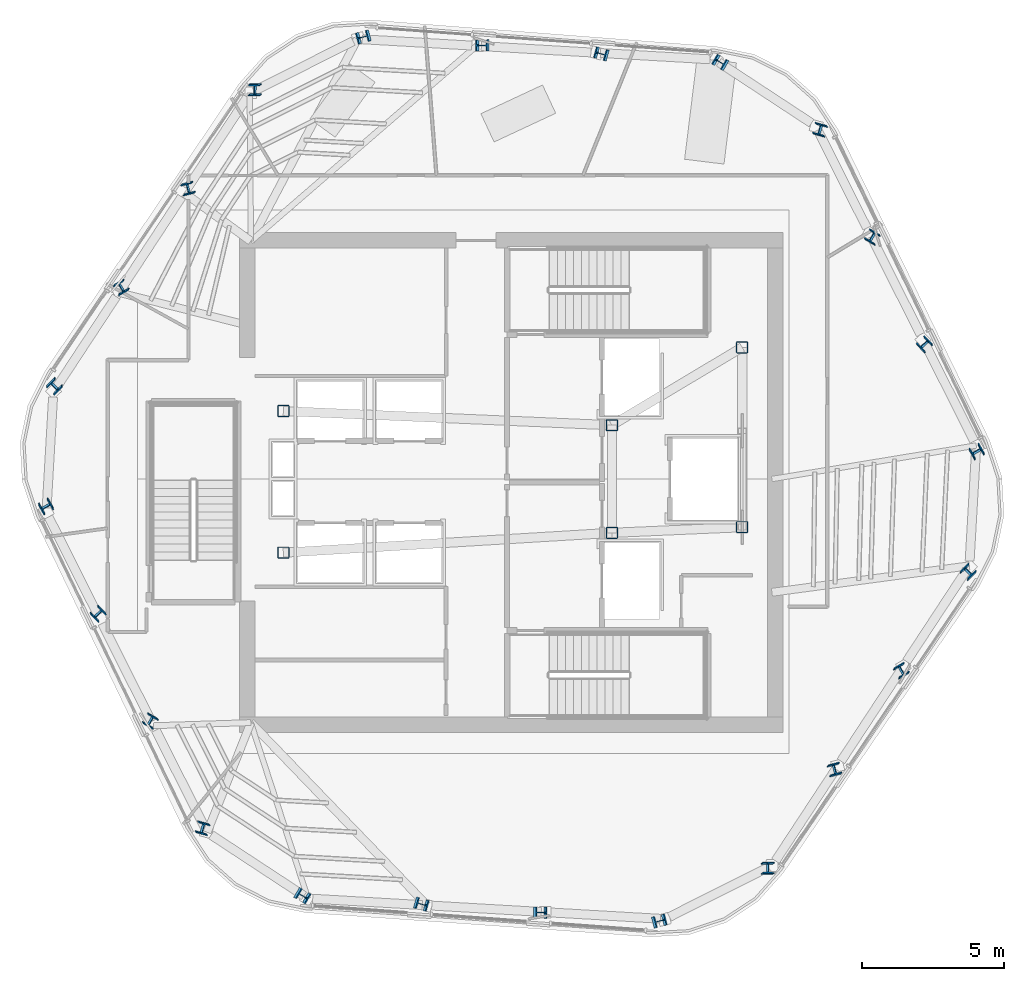
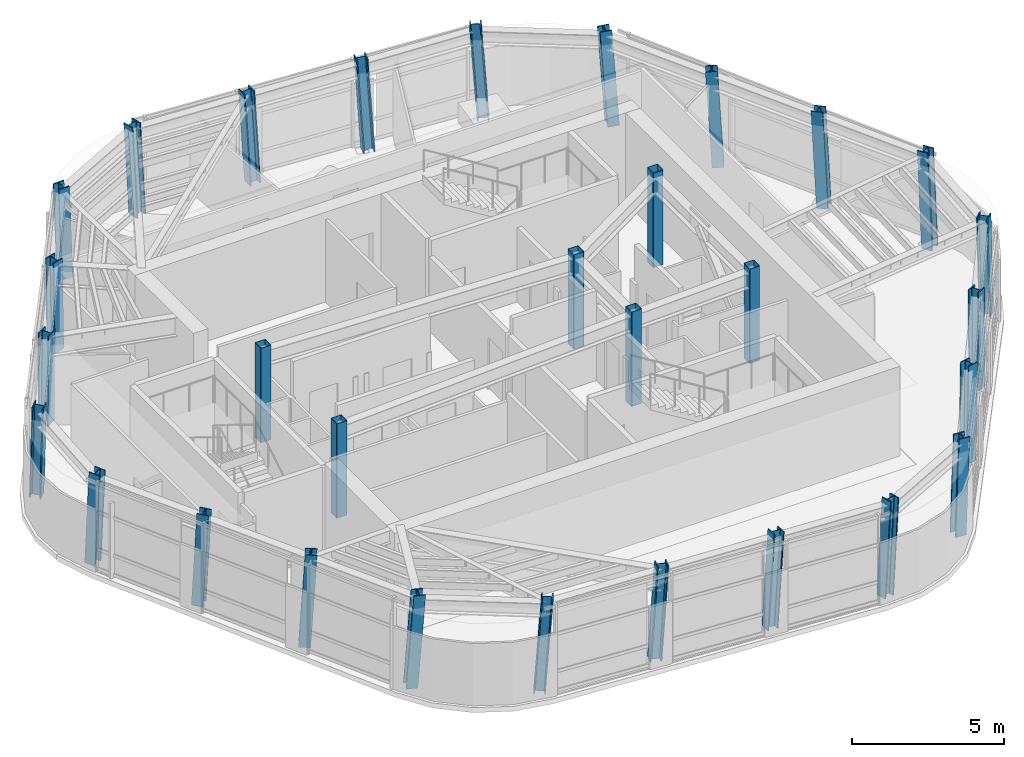
# One storey, part 1 of 11: 30 columns.
"""IFC4 building model written with IfcOpenShell, lengths in metres."""

from ifc_helpers import new_model, si_unit, direction, frame, origin, origin_2d, place, context, subcontext, project, spatial, hollow_rectangle, i_section, extrude, material, material_profile, profile_set, type_object, element, save


model = new_model("IFC4")

# Units and contexts
model_context = context("Model", 3, precision=1e-05, world=origin(), true_north=direction((0.0, 1.0)))
body_context = subcontext(model_context, "Body", "Model", "MODEL_VIEW")
ifc_project = project(units=[si_unit("LENGTHUNIT", "METRE"), si_unit("AREAUNIT", "SQUARE_METRE"), si_unit("VOLUMEUNIT", "CUBIC_METRE"), si_unit("PLANEANGLEUNIT", "RADIAN"), si_unit("MASSUNIT", "GRAM", prefix="KILO")], contexts=[model_context])

# Site, building, storey
site_placement = place(None, origin())
site = spatial("IfcSite", under=ifc_project, at=site_placement, CompositionType="ELEMENT")
building_placement = place(site_placement, origin())
building = spatial("IfcBuilding", under=site, at=building_placement, Name="Valkerne Bourse Tower", CompositionType="ELEMENT")
storey_placement = place(building_placement, frame((0.0, 0.0, 266.0)))
storey = spatial("IfcBuildingStorey", under=building, at=storey_placement, Name="L67", CompositionType="ELEMENT", Elevation=266.0)

# Columns
ifc_material_1 = material(Name="Steel ASTM A500 Grade C", Category="steel")
ifc_material_profile_1 = material_profile(ifc_material_1, hollow_rectangle(XDim=0.39990234375, YDim=0.39990234375, WallThickness=0.01611328125, OuterFilletRadius=0.031982421875, at=origin_2d()), Name="HSS400X400X16")
ifc_profile_set_1 = profile_set([ifc_material_profile_1], Name="Steel ASTM A500 Grade C")
column_type_1 = type_object("IfcColumnType", Name="COL-HSS400X400X16", PredefinedType="COLUMN", material=ifc_profile_set_1)
for number, where, z_axis, x_axis, name in (
    (1, (38.75, 24.39990234375, 0.0048828125), (0.0, 0.0, 1.0), (1.0, 0.0, 0.0), "L67 Core Frame Column CC-SW"),
    (2, (38.75, 29.39990234375, 0.0048828125), (0.0, 0.0, 1.0), (1.0, 0.0, 0.0), "L67 Core Frame Column CC-NW"),
    (3, (50.35009765625, 25.10009765625, 0.0048828125), (0.0, 0.0, 1.0), (1.0, 0.0, 0.0), "L67 Core Frame Column CC-CE1"),
    (4, (50.35009765625, 28.89990234375, 0.0048828125), (0.0, 0.0, 1.0), (1.0, 0.0, 0.0), "L67 Core Frame Column CC-CE2"),
    (5, (54.949951171875, 25.300048828125, 0.0048828125), (0.0, 0.0, 1.0), (1.0, 0.0, 0.0), "L67 Core Frame Column CC-SE"),
    (6, (54.949951171875, 31.64990234375, 0.0048828125), (0.0, 0.0, 1.0), (1.0, 0.0, 0.0), "L67 Core Frame Column CC-NE"),
):
    element("IfcColumn", number, at=place(storey_placement, frame(where, z_axis=z_axis, x_axis=x_axis)), inside=storey, type_object=column_type_1, Name=name, PredefinedType="COLUMN", context=body_context, shape_type="SweptSolid", body=[
        extrude(hollow_rectangle(XDim=0.39990234375, YDim=0.39990234375, WallThickness=0.01611328125, OuterFilletRadius=0.031982421875, at=origin_2d()), origin(), (0.0, 0.0, 1.0), 3.795166015625),
    ])
ifc_material_2 = material(Name="Steel ASTM A913 Grade 65", Category="steel")
ifc_material_profile_2 = material_profile(ifc_material_2, i_section(OverallWidth=0.4013671875, OverallDepth=0.398681640625, WebThickness=0.02490234375, FlangeThickness=0.03955078125, FilletRadius=0.025390625, at=origin_2d()), Name="W14X211")
ifc_profile_set_2 = profile_set([ifc_material_profile_2], Name="Steel ASTM A913 Grade 65")
column_type_2 = type_object("IfcColumnType", Name="COL-W14X211", PredefinedType="COLUMN", material=ifc_profile_set_2)
column_1_placement = place(storey_placement, frame((54.214111328125, 41.6953125, 0.010009765625), z_axis=(-0.061134556827, 0.030212968548, 0.997672161831), x_axis=(0.50736726985, 0.861715446234, 0.004994317479)))
element("IfcColumn", 7, at=column_1_placement, inside=storey, type_object=column_type_2, Name="L67 Helical Perimeter Tube Column F1-C1", PredefinedType="COLUMN", context=body_context, shape_type="SweptSolid", body=[
    extrude(i_section(OverallWidth=0.4013671875, OverallDepth=0.398681640625, WebThickness=0.02490234375, FlangeThickness=0.03955078125, FilletRadius=0.025390625, at=origin_2d()), origin(), (0.0, 0.0, 1.0), 3.789794921875),
])
for number, where, z_axis, x_axis, name in (
    (8, (50.013427734375, 42.003662109375, 0.010009765625), (-0.062312980106, 0.012823457126, 0.997974273946), (0.272615512531, 0.962111777822, 0.00465932439), "L67 Helical Perimeter Tube Column F1-C2"),
    (9, (45.812744140625, 42.312255859375, 0.010009765625), (-0.063408634707, -0.004575216529, 0.997977160279), (0.001126420509, 0.999988526321, 0.004656007177), "L67 Helical Perimeter Tube Column F1-C3"),
):
    element("IfcColumn", number, at=place(storey_placement, frame(where, z_axis=z_axis, x_axis=x_axis)), inside=storey, type_object=column_type_2, Name=name, PredefinedType="COLUMN", context=body_context, shape_type="SweptSolid", body=[
        extrude(i_section(OverallWidth=0.4013671875, OverallDepth=0.398681640625, WebThickness=0.02490234375, FlangeThickness=0.03955078125, FilletRadius=0.025390625, at=origin_2d()), origin(), (0.0, 0.0, 1.0), 3.78857421875),
    ])
for number, where, z_axis, x_axis, name in (
    (10, (41.612060546875, 42.62060546875, 0.010009765625), (-0.064548761154, -0.022031613089, 0.997671321357), (-0.253001939119, 0.967452875648, 0.004995217955), "L67 Helical Perimeter Tube Column F1-C4"),
    (11, (37.78076171875, 40.7685546875, 0.010009765625), (-0.05681805228, -0.03787870152, 0.99766573205), (-0.998354015929, 0.009970802691, -0.056478685999), "L67 Helical Perimeter Tube Column F2-C1"),
):
    element("IfcColumn", number, at=place(storey_placement, frame(where, z_axis=z_axis, x_axis=x_axis)), inside=storey, type_object=column_type_2, Name=name, PredefinedType="COLUMN", context=body_context, shape_type="SweptSolid", body=[
        extrude(i_section(OverallWidth=0.4013671875, OverallDepth=0.398681640625, WebThickness=0.02490234375, FlangeThickness=0.03955078125, FilletRadius=0.025390625, at=origin_2d()), origin(), (0.0, 0.0, 1.0), 3.789794921875),
    ])
for number, where, z_axis, x_axis, name in (
    (12, (35.4130859375, 37.284912109375, 0.010009765625), (-0.042272275426, -0.047556309855, 0.997973673061), (-0.96847534879, -0.243487247942, -0.052625648466), "L67 Helical Perimeter Tube Column F2-C2"),
    (13, (33.045654296875, 33.801025390625, 0.010009765625), (-0.027773439394, -0.057222306686, 0.997975071674), (-0.866079301254, -0.497130862713, -0.052607502094), "L67 Helical Perimeter Tube Column F2-C3"),
):
    element("IfcColumn", number, at=place(storey_placement, frame(where, z_axis=z_axis, x_axis=x_axis)), inside=storey, type_object=column_type_2, Name=name, PredefinedType="COLUMN", context=body_context, shape_type="SweptSolid", body=[
        extrude(i_section(OverallWidth=0.4013671875, OverallDepth=0.398681640625, WebThickness=0.02490234375, FlangeThickness=0.03955078125, FilletRadius=0.025390625, at=origin_2d()), origin(), (0.0, 0.0, 1.0), 3.78857421875),
    ])
for number, where, z_axis, x_axis, name in (
    (14, (30.67822265625, 30.3173828125, 0.010009765625), (-0.013206068031, -0.066932217969, 0.997670124823), (-0.71117968662, -0.700742183126, -0.056425580424), "L67 Helical Perimeter Tube Column F2-C4"),
    (15, (30.366455078125, 26.0732421875, 0.010009765625), (0.004380546423, -0.068091728961, 0.997669447893), (0.491999260423, -0.868425564444, -0.061430991885), "L67 Helical Perimeter Tube Column F3-C1"),
):
    element("IfcColumn", number, at=place(storey_placement, frame(where, z_axis=z_axis, x_axis=x_axis)), inside=storey, type_object=column_type_2, Name=name, PredefinedType="COLUMN", context=body_context, shape_type="SweptSolid", body=[
        extrude(i_section(OverallWidth=0.4013671875, OverallDepth=0.398681640625, WebThickness=0.02490234375, FlangeThickness=0.03955078125, FilletRadius=0.025390625, at=origin_2d()), origin(), (0.0, 0.0, 1.0), 3.789794921875),
    ])
for number, where, z_axis, x_axis, name in (
    (16, (32.19970703125, 22.281005859375, 0.010009765625), (0.020040757162, -0.060315590686, 0.997978154857), (0.696338827442, -0.71542843188, -0.057222340516), "L67 Helical Perimeter Tube Column F3-C2"),
    (17, (34.032958984375, 18.489013671875, 0.010009765625), (0.035699494732, -0.052647088802, 0.997974864471), (0.864485279372, -0.499385103989, -0.057268836749), "L67 Helical Perimeter Tube Column F3-C3"),
):
    element("IfcColumn", number, at=place(storey_placement, frame(where, z_axis=z_axis, x_axis=x_axis)), inside=storey, type_object=column_type_2, Name=name, PredefinedType="COLUMN", context=body_context, shape_type="SweptSolid", body=[
        extrude(i_section(OverallWidth=0.4013671875, OverallDepth=0.398681640625, WebThickness=0.02490234375, FlangeThickness=0.03955078125, FilletRadius=0.025390625, at=origin_2d()), origin(), (0.0, 0.0, 1.0), 3.78857421875),
    ])
for number, where, z_axis, x_axis, name in (
    (18, (35.8662109375, 14.69677734375, 0.010009765625), (0.051342671959, -0.044900680496, 0.99767121785), (0.962653040627, -0.263682042021, -0.061407687523), "L67 Helical Perimeter Tube Column F3-C4"),
    (19, (39.3857421875, 12.3046875, 0.010009765625), (0.061198735658, -0.030212849498, 0.997668230665), (0.50700661017, 0.861927672118, -0.00499852789), "L67 Helical Perimeter Tube Column F4-C1"),
):
    element("IfcColumn", number, at=place(storey_placement, frame(where, z_axis=z_axis, x_axis=x_axis)), inside=storey, type_object=column_type_2, Name=name, PredefinedType="COLUMN", context=body_context, shape_type="SweptSolid", body=[
        extrude(i_section(OverallWidth=0.4013671875, OverallDepth=0.398681640625, WebThickness=0.02490234375, FlangeThickness=0.03955078125, FilletRadius=0.025390625, at=origin_2d()), origin(), (0.0, 0.0, 1.0), 3.789794921875),
    ])
for number, where, z_axis, x_axis, name in (
    (20, (43.58642578125, 11.996337890625, 0.010009765625), (0.062312980106, -0.012823457126, 0.997974273946), (0.272615512531, 0.962111777822, -0.00465932439), "L67 Helical Perimeter Tube Column F4-C2"),
    (21, (47.787109375, 11.687744140625, 0.010009765625), (0.063472814894, 0.004575197825, 0.997973080466), (0.001198995897, 0.999988420097, -0.004660695344), "L67 Helical Perimeter Tube Column F4-C3"),
):
    element("IfcColumn", number, at=place(storey_placement, frame(where, z_axis=z_axis, x_axis=x_axis)), inside=storey, type_object=column_type_2, Name=name, PredefinedType="COLUMN", context=body_context, shape_type="SweptSolid", body=[
        extrude(i_section(OverallWidth=0.4013671875, OverallDepth=0.398681640625, WebThickness=0.02490234375, FlangeThickness=0.03955078125, FilletRadius=0.025390625, at=origin_2d()), origin(), (0.0, 0.0, 1.0), 3.78857421875),
    ])
for number, where, z_axis, x_axis, name in (
    (22, (51.98779296875, 11.37939453125, 0.010009765625), (0.064612912267, 0.022031521431, 0.99766717077), (-0.252707315156, 0.967529852894, -0.004999662465), "L67 Helical Perimeter Tube Column F4-C4"),
    (23, (55.8193359375, 13.2314453125, 0.010009765625), (0.056753840333, 0.037878840086, 0.99766938165), (-0.998361611385, 0.009446290405, 0.056434568404), "L67 Helical Perimeter Tube Column F5-C1"),
):
    element("IfcColumn", number, at=place(storey_placement, frame(where, z_axis=z_axis, x_axis=x_axis)), inside=storey, type_object=column_type_2, Name=name, PredefinedType="COLUMN", context=body_context, shape_type="SweptSolid", body=[
        extrude(i_section(OverallWidth=0.4013671875, OverallDepth=0.398681640625, WebThickness=0.02490234375, FlangeThickness=0.03955078125, FilletRadius=0.025390625, at=origin_2d()), origin(), (0.0, 0.0, 1.0), 3.789794921875),
    ])
for number, where, z_axis, x_axis, name in (
    (24, (58.186767578125, 16.715087890625, 0.010009765625), (0.042272275426, 0.047556309855, 0.997973673061), (-0.96847534879, -0.243487247942, 0.052625648466), "L67 Helical Perimeter Tube Column F5-C2"),
    (25, (60.55419921875, 20.198974609375, 0.010009765625), (0.027773439394, 0.057222306686, 0.997975071674), (-0.866079301254, -0.497130862713, 0.052607502094), "L67 Helical Perimeter Tube Column F5-C3"),
):
    element("IfcColumn", number, at=place(storey_placement, frame(where, z_axis=z_axis, x_axis=x_axis)), inside=storey, type_object=column_type_2, Name=name, PredefinedType="COLUMN", context=body_context, shape_type="SweptSolid", body=[
        extrude(i_section(OverallWidth=0.4013671875, OverallDepth=0.398681640625, WebThickness=0.02490234375, FlangeThickness=0.03955078125, FilletRadius=0.025390625, at=origin_2d()), origin(), (0.0, 0.0, 1.0), 3.78857421875),
    ])
for number, where, z_axis, x_axis, name in (
    (26, (62.921875, 23.6826171875, 0.010009765625), (0.013206068031, 0.066932217969, 0.997670124823), (-0.71117968662, -0.700742183126, 0.056425580424), "L67 Helical Perimeter Tube Column F5-C4"),
    (27, (63.2333984375, 27.9267578125, 0.010009765625), (-0.004380546423, 0.068091728961, 0.997669447893), (0.491999260423, -0.868425564444, 0.061430991885), "L67 Helical Perimeter Tube Column F6-C1"),
):
    element("IfcColumn", number, at=place(storey_placement, frame(where, z_axis=z_axis, x_axis=x_axis)), inside=storey, type_object=column_type_2, Name=name, PredefinedType="COLUMN", context=body_context, shape_type="SweptSolid", body=[
        extrude(i_section(OverallWidth=0.4013671875, OverallDepth=0.398681640625, WebThickness=0.02490234375, FlangeThickness=0.03955078125, FilletRadius=0.025390625, at=origin_2d()), origin(), (0.0, 0.0, 1.0), 3.789794921875),
    ])
for number, where, z_axis, x_axis, name in (
    (28, (61.400390625, 31.718994140625, 0.010009765625), (-0.020040757162, 0.060315590686, 0.997978154857), (0.696338827442, -0.71542843188, 0.057222340516), "L67 Helical Perimeter Tube Column F6-C2"),
    (29, (59.567138671875, 35.510986328125, 0.010009765625), (-0.035699494732, 0.052647088802, 0.997974864471), (0.864485279372, -0.499385103989, 0.057268836749), "L67 Helical Perimeter Tube Column F6-C3"),
):
    element("IfcColumn", number, at=place(storey_placement, frame(where, z_axis=z_axis, x_axis=x_axis)), inside=storey, type_object=column_type_2, Name=name, PredefinedType="COLUMN", context=body_context, shape_type="SweptSolid", body=[
        extrude(i_section(OverallWidth=0.4013671875, OverallDepth=0.398681640625, WebThickness=0.02490234375, FlangeThickness=0.03955078125, FilletRadius=0.025390625, at=origin_2d()), origin(), (0.0, 0.0, 1.0), 3.78857421875),
    ])
column_2_placement = place(storey_placement, frame((57.73388671875, 39.30322265625, 0.010009765625), z_axis=(-0.051342671959, 0.044900680496, 0.99767121785), x_axis=(0.962653040627, -0.263682042021, 0.061407687523)))
element("IfcColumn", 30, at=column_2_placement, inside=storey, type_object=column_type_2, Name="L67 Helical Perimeter Tube Column F6-C4", PredefinedType="COLUMN", context=body_context, shape_type="SweptSolid", body=[
    extrude(i_section(OverallWidth=0.4013671875, OverallDepth=0.398681640625, WebThickness=0.02490234375, FlangeThickness=0.03955078125, FilletRadius=0.025390625, at=origin_2d()), origin(), (0.0, 0.0, 1.0), 3.789794921875),
])

save(model, "model.ifc")
